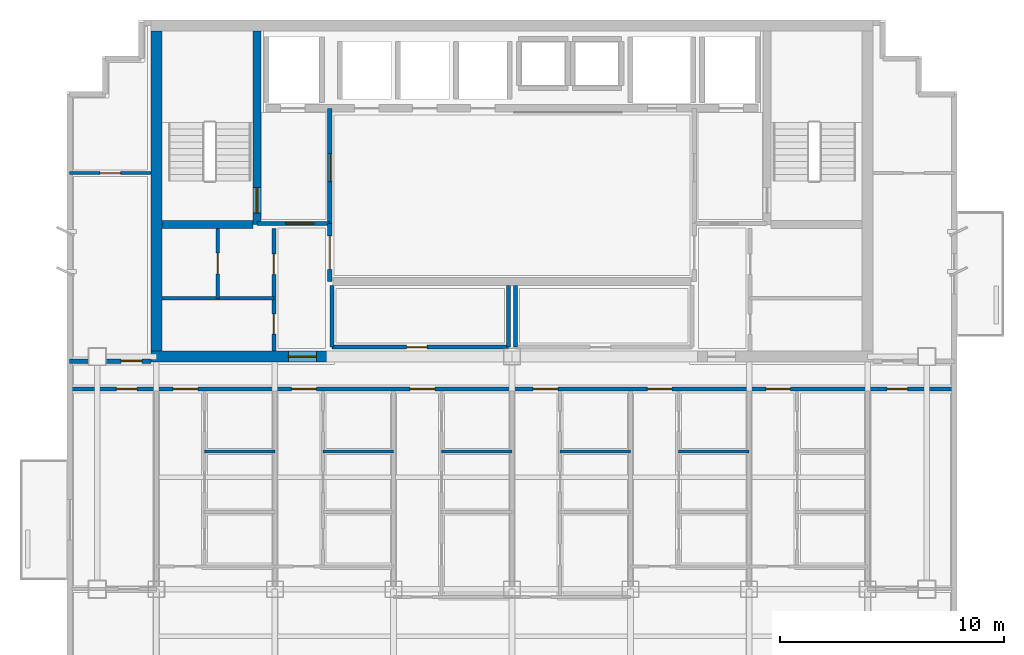
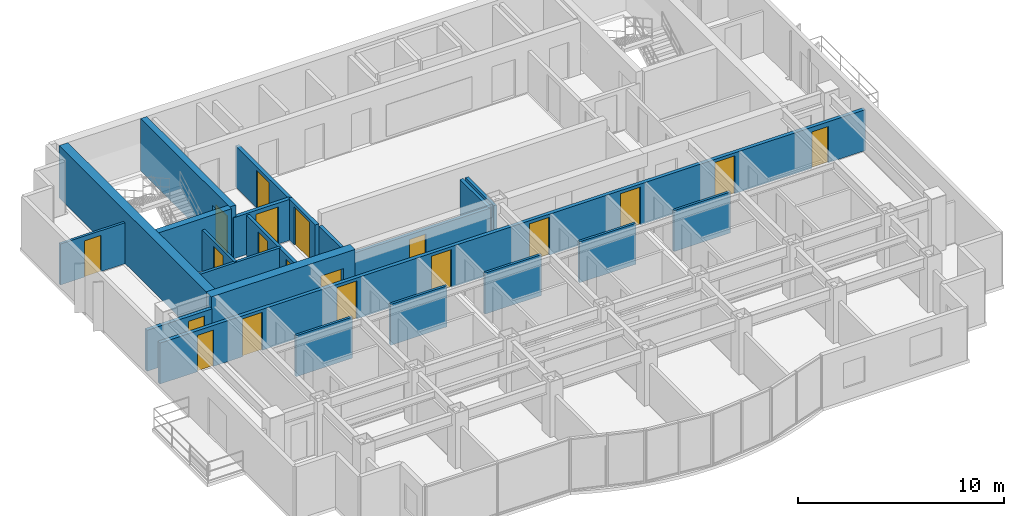
# One storey, part 5 of 9: 22 walls, 19 doors, 19 openings.
"""IFC4 building model written with IfcOpenShell, lengths in metres."""

from ifc_helpers import new_model, si_unit, direction, frame, frame_2d, origin, place, context, subcontext, project, spatial, rectangle, extrude, material, layer, layer_set, type_object, element, fill, save


model = new_model("IFC4")

# Units and contexts
model_context = context("Model", 3, precision=1e-05, world=origin(), true_north=direction((0.0, 1.0)))
body_context = subcontext(model_context, "Body", "Model", "MODEL_VIEW")
ifc_project = project(units=[si_unit("LENGTHUNIT", "METRE"), si_unit("AREAUNIT", "SQUARE_METRE"), si_unit("VOLUMEUNIT", "CUBIC_METRE"), si_unit("PLANEANGLEUNIT", "RADIAN"), si_unit("MASSUNIT", "GRAM", prefix="KILO")], contexts=[model_context])

# Site, building, storey
site_placement = place(None, origin())
site = spatial("IfcSite", under=ifc_project, at=site_placement, CompositionType="ELEMENT")
building_placement = place(site_placement, origin())
building = spatial("IfcBuilding", under=site, at=building_placement, Name="Qianlan Lanfeng Residences", CompositionType="ELEMENT")
storey_placement = place(building_placement, frame((0.0, 0.0, 229.699951171875)))
storey = spatial("IfcBuildingStorey", under=building, at=storey_placement, Name="L63", CompositionType="ELEMENT", Elevation=229.699951171875)

# Wall, opening, door
ifc_material_1 = material(Name="Concrete C49", Category="concrete")
ifc_layer_1 = layer(ifc_material_1, 0.35009765625)
ifc_layer_set_1 = layer_set([ifc_layer_1], Name="Concrete C49")
wall_type_1 = type_object("IfcWallType", Name="CW-RC-350", PredefinedType="SHEAR", material=ifc_layer_set_1)
wall_1_placement = place(storey_placement, frame((15.10009765625, 31.10009765625, 0.0), z_axis=(0.0, 0.0, 1.0), x_axis=(0.0, 1.0, 0.0)))
wall_1 = element("IfcWall", 1, at=wall_1_placement, inside=storey, type_object=wall_type_1, Name="L63 Core Shear Wall ST1E", PredefinedType="SHEAR", context=body_context, shape_type="SweptSolid", body=[
    extrude(rectangle(XDim=8.64990234375, YDim=0.35009765625, at=frame_2d((4.324951171875, 0.0))), origin(), (0.0, 0.0, 1.0), 3.110107421875),
])
opening_1_placement = place(wall_1_placement, frame((0.510009765625, 0.0, 0.0)))
opening_1 = element("IfcOpeningElement", 2, at=opening_1_placement, cuts=wall_1, Name="Opening L63-D07", PredefinedType="OPENING", context=body_context, shape_type="SweptSolid", body=[
    extrude(rectangle(XDim=1.14990234375, YDim=2.199951171875, at=frame_2d((0.574951171875, 1.10009765625))), frame((0.0, 0.18505859375, 0.0), z_axis=(0.0, -1.0, 0.0), x_axis=(1.0, 0.0, 0.0)), (0.0, 0.0, 1.0), 0.3701171875),
])
ifc_material_2 = material(Name="Painted Galvanised Steel Fire Door", Category="steel")
door_type_1 = type_object("IfcDoorType", Name="DT-ST1", OperationType="NOTDEFINED", PredefinedType="DOOR", material=ifc_material_2)
door_1_placement = place(opening_1_placement, frame((1.14990234375, 0.0, 0.0), z_axis=(0.0, 0.0, 1.0), x_axis=(-1.0, 0.0, 0.0)))
door_1 = element("IfcDoor", 3, at=door_1_placement, inside=storey, type_object=door_type_1, Name="L63 Exit Stair ST-1 Door L63-D07 (DT-ST1)", OperationType="SINGLE_SWING_RIGHT", OverallHeight=2.199951171875, OverallWidth=1.14990234375, PredefinedType="DOOR", context=body_context, shape_type="SweptSolid", body=[
    extrude(rectangle(XDim=1.14990234375, YDim=2.199951171875, at=frame_2d((0.574951171875, 1.10009765625))), frame((0.0, 0.02490234375, 0.0), z_axis=(0.0, -1.0, 0.0), x_axis=(1.0, 0.0, 0.0)), (0.0, 0.0, 1.0), 0.050048828125),
])
fill(opening_1, door_1)

# Walls
wall_2_placement = place(storey_placement, frame((10.85009765625, 31.10009765625, 0.0), z_axis=(0.0, 0.0, 1.0), x_axis=(1.0, 0.0, 0.0)))
element("IfcWall", 4, at=wall_2_placement, inside=storey, type_object=wall_type_1, Name="L63 Core Shear Wall ST1S", PredefinedType="SHEAR", context=body_context, shape_type="SweptSolid", body=[
    extrude(rectangle(XDim=4.074951171875, YDim=0.35009765625, at=frame_2d((2.03759765625, 0.0))), origin(), (0.0, 0.0, 1.0), 3.110107421875),
])
ifc_material_3 = material(Name="Concrete C70", Category="concrete")
ifc_layer_2 = layer(ifc_material_3, 0.5)
ifc_layer_set_2 = layer_set([ifc_layer_2], Name="Concrete C70")
wall_type_2 = type_object("IfcWallType", Name="CW-RC-500", PredefinedType="SHEAR", material=ifc_layer_set_2)
wall_3_placement = place(storey_placement, frame((10.60009765625, 25.449951171875, 0.0), z_axis=(0.0, 0.0, 1.0), x_axis=(0.0, 1.0, 0.0)))
element("IfcWall", 5, at=wall_3_placement, inside=storey, type_object=wall_type_2, Name="L63 Core Shear Wall W", PredefinedType="SHEAR", context=body_context, shape_type="SweptSolid", body=[
    extrude(rectangle(XDim=14.300048828125, YDim=0.5, at=frame_2d((7.14990234375, 0.0))), origin(), (0.0, 0.0, 1.0), 3.110107421875),
])

# Wall, opening, door
wall_4_placement = place(storey_placement, frame((10.35009765625, 25.199951171875, 0.0), z_axis=(0.0, 0.0, 1.0), x_axis=(1.0, 0.0, 0.0)))
wall_4 = element("IfcWall", 6, at=wall_4_placement, inside=storey, type_object=wall_type_2, Name="L63 Core Shear Wall SW", PredefinedType="SHEAR", context=body_context, shape_type="SweptSolid", body=[
    extrude(rectangle(XDim=8.0498046875, YDim=0.5, at=frame_2d((4.02490234375, 0.0))), origin(), (0.0, 0.0, 1.0), 3.110107421875),
])
opening_2_placement = place(wall_4_placement, frame((6.14990234375, 0.0, 0.0)))
opening_2 = element("IfcOpeningElement", 7, at=opening_2_placement, cuts=wall_4, Name="Opening L63-D01", PredefinedType="OPENING", context=body_context, shape_type="SweptSolid", body=[
    extrude(rectangle(XDim=1.25, YDim=2.199951171875, at=frame_2d((0.625, 1.10009765625))), frame((0.0, 0.260009765625, 0.0), z_axis=(0.0, -1.0, 0.0), x_axis=(1.0, 0.0, 0.0)), (0.0, 0.0, 1.0), 0.52001953125),
])
door_type_2 = type_object("IfcDoorType", Name="DT-FFL", OperationType="NOTDEFINED", PredefinedType="DOOR", material=ifc_material_2)
door_2_placement = place(opening_2_placement, origin())
door_2 = element("IfcDoor", 8, at=door_2_placement, inside=storey, type_object=door_type_2, Name="L63 West Core Lobby Smoke Door L63-D01 (DT-FFL)", OperationType="SINGLE_SWING_RIGHT", OverallHeight=2.199951171875, OverallWidth=1.25, PredefinedType="DOOR", context=body_context, shape_type="SweptSolid", body=[
    extrude(rectangle(XDim=1.25, YDim=2.199951171875, at=frame_2d((0.625, 1.10009765625))), frame((0.0, 0.02490234375, 0.0), z_axis=(0.0, -1.0, 0.0), x_axis=(1.0, 0.0, 0.0)), (0.0, 0.0, 1.0), 0.050048828125),
])
fill(opening_2, door_2)

# Walls
ifc_material_4 = material(Name="Moisture-Resistant Gypsum Partition 135 mm")
ifc_layer_3 = layer(ifc_material_4, 0.135009765625)
ifc_layer_set_3 = layer_set([ifc_layer_3], Name="Moisture-Resistant Gypsum Partition 135 mm")
wall_type_3 = type_object("IfcWallType", Name="PW-135", PredefinedType="PARTITIONING", material=ifc_layer_set_3)
for number, where, z_axis, x_axis, name in (
    (9, (12.75, 20.949951171875, 0.0), (0.0, 0.0, 1.0), (1.0, 0.0, 0.0), "L63 U01 Bathroom South Wall"),
    (10, (18.050048828125, 20.949951171875, 0.0), (0.0, 0.0, 1.0), (1.0, 0.0, 0.0), "L63 U02 Bathroom South Wall"),
    (11, (23.35009765625, 20.949951171875, 0.0), (0.0, 0.0, 1.0), (1.0, 0.0, 0.0), "L63 U03 Bathroom South Wall"),
):
    element("IfcWall", number, at=place(storey_placement, frame(where, z_axis=z_axis, x_axis=x_axis)), inside=storey, type_object=wall_type_3, Name=name, PredefinedType="PARTITIONING", context=body_context, shape_type="SweptSolid", body=[
        extrude(rectangle(XDim=3.14990234375, YDim=0.135009765625, at=frame_2d((1.574951171875, 0.0))), origin(), (0.0, 0.0, 1.0), 2.429931640625),
    ])
for number, where, z_axis, x_axis, name in (
    (12, (28.64990234375, 20.949951171875, 0.0), (0.0, 0.0, 1.0), (1.0, 0.0, 0.0), "L63 U04 Bathroom South Wall"),
    (13, (33.949951171875, 20.949951171875, 0.0), (0.0, 0.0, 1.0), (1.0, 0.0, 0.0), "L63 U05 Bathroom South Wall"),
):
    element("IfcWall", number, at=place(storey_placement, frame(where, z_axis=z_axis, x_axis=x_axis)), inside=storey, type_object=wall_type_3, Name=name, PredefinedType="PARTITIONING", context=body_context, shape_type="SweptSolid", body=[
        extrude(rectangle(XDim=3.150146484375, YDim=0.135009765625, at=frame_2d((1.5751953125, 0.0))), origin(), (0.0, 0.0, 1.0), 2.429931640625),
    ])

# Wall, opening, door
wall_5_placement = place(storey_placement, frame((6.719970703125, 33.39990234375, 0.0), z_axis=(0.0, 0.0, 1.0), x_axis=(1.0, 0.0, 0.0)))
wall_5 = element("IfcWall", 14, at=wall_5_placement, inside=storey, type_object=wall_type_3, Name="L63 WW North Wing Wall", PredefinedType="PARTITIONING", context=body_context, shape_type="SweptSolid", body=[
    extrude(rectangle(XDim=3.630126953125, YDim=0.135009765625, at=frame_2d((1.81494140625, 0.0))), origin(), (0.0, 0.0, 1.0), 2.429931640625),
])
opening_3_placement = place(wall_5_placement, frame((1.35498046875, 0.0, 0.0)))
opening_3 = element("IfcOpeningElement", 15, at=opening_3_placement, cuts=wall_5, Name="Opening L63-D52", PredefinedType="OPENING", context=body_context, shape_type="SweptSolid", body=[
    extrude(rectangle(XDim=0.919921875, YDim=2.14990234375, at=frame_2d((0.4599609375, 1.074951171875))), frame((0.0, 0.07763671875, 0.0), z_axis=(0.0, -1.0, 0.0), x_axis=(1.0, 0.0, 0.0)), (0.0, 0.0, 1.0), 0.155029296875),
])
ifc_material_5 = material(Name="Glazed Timber Kitchen/Study Door", Category="wood")
door_type_3 = type_object("IfcDoorType", Name="DT-INT", OperationType="NOTDEFINED", PredefinedType="DOOR", material=ifc_material_5)
door_3_placement = place(opening_3_placement, origin())
door_3 = element("IfcDoor", 16, at=door_3_placement, inside=storey, type_object=door_type_3, Name="L63 WW Inner Salon Door L63-D52 (DT-INT)", OperationType="SINGLE_SWING_LEFT", OverallHeight=2.14990234375, OverallWidth=0.919921875, PredefinedType="DOOR", context=body_context, shape_type="SweptSolid", body=[
    extrude(rectangle(XDim=0.919921875, YDim=2.14990234375, at=frame_2d((0.4599609375, 1.074951171875))), frame((0.0, 0.02490234375, 0.0), z_axis=(0.0, -1.0, 0.0), x_axis=(1.0, 0.0, 0.0)), (0.0, 0.0, 1.0), 0.050048828125),
])
fill(opening_3, door_3)

# Wall
ifc_material_6 = material(Name="Acoustic Drywall Partition 150 mm")
ifc_layer_4 = layer(ifc_material_6, 0.14990234375)
ifc_layer_set_4 = layer_set([ifc_layer_4], Name="Acoustic Drywall Partition 150 mm")
wall_type_4 = type_object("IfcWallType", Name="PW-150", PredefinedType="PARTITIONING", material=ifc_layer_set_4)
wall_6_placement = place(storey_placement, frame((10.85009765625, 27.800048828125, 0.0), z_axis=(0.0, 0.0, 1.0), x_axis=(1.0, 0.0, 0.0)))
element("IfcWall", 17, at=wall_6_placement, inside=storey, type_object=wall_type_4, Name="L63 Core West H4", PredefinedType="PARTITIONING", context=body_context, shape_type="SweptSolid", body=[
    extrude(rectangle(XDim=5.0, YDim=0.14990234375, at=frame_2d((2.5, 0.0))), origin(), (0.0, 0.0, 1.0), 2.429931640625),
])

# Wall, opening, door
wall_7_placement = place(storey_placement, frame((13.35009765625, 27.800048828125, 0.0), z_axis=(0.0, 0.0, 1.0), x_axis=(0.0, 1.0, 0.0)))
wall_7 = element("IfcWall", 18, at=wall_7_placement, inside=storey, type_object=wall_type_4, Name="L63 Core West V4", PredefinedType="PARTITIONING", context=body_context, shape_type="SweptSolid", body=[
    extrude(rectangle(XDim=3.125, YDim=0.14990234375, at=frame_2d((1.5625, 0.0))), origin(), (0.0, 0.0, 1.0), 2.429931640625),
])
opening_4_placement = place(wall_7_placement, frame((1.10302734375, 0.0, 0.0)))
opening_4 = element("IfcOpeningElement", 19, at=opening_4_placement, cuts=wall_7, Name="Opening L63-D11", PredefinedType="OPENING", context=body_context, shape_type="SweptSolid", body=[
    extrude(rectangle(XDim=0.919921875, YDim=2.14990234375, at=frame_2d((0.4599609375, 1.074951171875))), frame((0.0, 0.0849609375, 0.0), z_axis=(0.0, -1.0, 0.0), x_axis=(1.0, 0.0, 0.0)), (0.0, 0.0, 1.0), 0.169921875),
])
door_4_placement = place(opening_4_placement, origin())
door_4 = element("IfcDoor", 20, at=door_4_placement, inside=storey, type_object=door_type_3, Name="L63 Linen Store Door L63-D11 (DT-INT)", OperationType="SINGLE_SWING_RIGHT", OverallHeight=2.14990234375, OverallWidth=0.919921875, PredefinedType="DOOR", context=body_context, shape_type="SweptSolid", body=[
    extrude(rectangle(XDim=0.919921875, YDim=2.14990234375, at=frame_2d((0.4599609375, 1.074951171875))), frame((0.0, 0.02490234375, 0.0), z_axis=(0.0, -1.0, 0.0), x_axis=(1.0, 0.0, 0.0)), (0.0, 0.0, 1.0), 0.050048828125),
])
fill(opening_4, door_4)

# Wall, openings, doors
ifc_material_7 = material(Name="Double-Layer Acoustic Gypsum Stud Wall 180 mm")
ifc_layer_5 = layer(ifc_material_7, 0.179931640625)
ifc_layer_set_5 = layer_set([ifc_layer_5], Name="Double-Layer Acoustic Gypsum Stud Wall 180 mm")
wall_type_5 = type_object("IfcWallType", Name="PW-180", PredefinedType="PARTITIONING", material=ifc_layer_set_5)
wall_8_placement = place(storey_placement, frame((15.85009765625, 25.449951171875, 0.0), z_axis=(0.0, 0.0, 1.0), x_axis=(0.0, 1.0, 0.0)))
wall_8 = element("IfcWall", 21, at=wall_8_placement, inside=storey, type_object=wall_type_5, Name="L63 Core West Service Room Wall", PredefinedType="PARTITIONING", context=body_context, shape_type="SweptSolid", body=[
    extrude(rectangle(XDim=5.47509765625, YDim=0.179931640625, at=frame_2d((2.737548828125, 0.0))), origin(), (0.0, 0.0, 1.0), 2.429931640625),
])
opening_5_placement = place(wall_8_placement, frame((0.75, 0.0, 0.0)))
opening_5 = element("IfcOpeningElement", 22, at=opening_5_placement, cuts=wall_8, Name="Opening L63-D09", PredefinedType="OPENING", context=body_context, shape_type="SweptSolid", body=[
    extrude(rectangle(XDim=0.89990234375, YDim=2.14990234375, at=frame_2d((0.449951171875, 1.074951171875))), frame((0.0, 0.10009765625, 0.0), z_axis=(0.0, -1.0, 0.0), x_axis=(1.0, 0.0, 0.0)), (0.0, 0.0, 1.0), 0.199951171875),
])
opening_6_placement = place(wall_8_placement, frame((3.427001953125, 0.0, 0.0)))
opening_6 = element("IfcOpeningElement", 23, at=opening_6_placement, cuts=wall_8, Name="Opening L63-D10", PredefinedType="OPENING", context=body_context, shape_type="SweptSolid", body=[
    extrude(rectangle(XDim=0.919921875, YDim=2.14990234375, at=frame_2d((0.4599609375, 1.074951171875))), frame((0.0, 0.10009765625, 0.0), z_axis=(0.0, -1.0, 0.0), x_axis=(1.0, 0.0, 0.0)), (0.0, 0.0, 1.0), 0.199951171875),
])
door_5_placement = place(opening_6_placement, origin())
door_5 = element("IfcDoor", 24, at=door_5_placement, inside=storey, type_object=door_type_3, Name="L63 Janitor Hall Door L63-D10 (DT-INT)", OperationType="SINGLE_SWING_LEFT", OverallHeight=2.14990234375, OverallWidth=0.919921875, PredefinedType="DOOR", context=body_context, shape_type="SweptSolid", body=[
    extrude(rectangle(XDim=0.919921875, YDim=2.14990234375, at=frame_2d((0.4599609375, 1.074951171875))), frame((0.0, 0.02490234375, 0.0), z_axis=(0.0, -1.0, 0.0), x_axis=(1.0, 0.0, 0.0)), (0.0, 0.0, 1.0), 0.050048828125),
])
fill(opening_6, door_5)
ifc_material_8 = material(Name="Moisture-Resistant Timber Leaf", Category="wood")
door_type_4 = type_object("IfcDoorType", Name="DT-WC", OperationType="NOTDEFINED", PredefinedType="DOOR", material=ifc_material_8)
door_6_placement = place(opening_5_placement, origin())
door_6 = element("IfcDoor", 25, at=door_6_placement, inside=storey, type_object=door_type_4, Name="L63 Staff WC Door L63-D09 (DT-WC)", OperationType="SINGLE_SWING_LEFT", OverallHeight=2.14990234375, OverallWidth=0.89990234375, PredefinedType="DOOR", context=body_context, shape_type="SweptSolid", body=[
    extrude(rectangle(XDim=0.89990234375, YDim=2.14990234375, at=frame_2d((0.449951171875, 1.074951171875))), frame((0.0, 0.02490234375, 0.0), z_axis=(0.0, -1.0, 0.0), x_axis=(1.0, 0.0, 0.0)), (0.0, 0.0, 1.0), 0.050048828125),
])
fill(opening_5, door_6)

# Walls
for number, where, z_axis, x_axis, name in (
    (26, (18.449951171875, 25.6201171875, 0.0), (0.0, 0.0, 1.0), (0.0, 1.0, 0.0), "L63 Reclaimed Low-Bank Room West Wall"),
    (27, (26.35009765625, 25.6201171875, 0.0), (0.0, 0.0, 1.0), (0.0, 1.0, 0.0), "L63 Reclaimed Low-Bank Room East Wall"),
):
    element("IfcWall", number, at=place(storey_placement, frame(where, z_axis=z_axis, x_axis=x_axis)), inside=storey, type_object=wall_type_5, Name=name, PredefinedType="PARTITIONING", context=body_context, shape_type="SweptSolid", body=[
        extrude(rectangle(XDim=2.7548828125, YDim=0.179931640625, at=frame_2d((1.37744140625, 0.0))), origin(), (0.0, 0.0, 1.0), 2.429931640625),
    ])

# Wall, opening, door
wall_9_placement = place(storey_placement, frame((18.449951171875, 25.6201171875, 0.0), z_axis=(0.0, 0.0, 1.0), x_axis=(1.0, 0.0, 0.0)))
wall_9 = element("IfcWall", 28, at=wall_9_placement, inside=storey, type_object=wall_type_5, Name="L63 Reclaimed Low-Bank Room South Wall", PredefinedType="PARTITIONING", context=body_context, shape_type="SweptSolid", body=[
    extrude(rectangle(XDim=7.900146484375, YDim=0.179931640625, at=frame_2d((3.9501953125, 0.0))), origin(), (0.0, 0.0, 1.0), 2.429931640625),
])
opening_7_placement = place(wall_9_placement, frame((3.340087890625, 0.0, 0.0)))
opening_7 = element("IfcOpeningElement", 29, at=opening_7_placement, cuts=wall_9, Name="Opening L63-D16", PredefinedType="OPENING", context=body_context, shape_type="SweptSolid", body=[
    extrude(rectangle(XDim=0.919921875, YDim=2.14990234375, at=frame_2d((0.4599609375, 1.074951171875))), frame((0.0, 0.10009765625, 0.0), z_axis=(0.0, -1.0, 0.0), x_axis=(1.0, 0.0, 0.0)), (0.0, 0.0, 1.0), 0.199951171875),
])
door_7_placement = place(opening_7_placement, origin())
door_7 = element("IfcDoor", 30, at=door_7_placement, inside=storey, type_object=door_type_3, Name="L63 Reclaimed Core Salon Door L63-D16 (DT-INT)", OperationType="SINGLE_SWING_LEFT", OverallHeight=2.14990234375, OverallWidth=0.919921875, PredefinedType="DOOR", context=body_context, shape_type="SweptSolid", body=[
    extrude(rectangle(XDim=0.919921875, YDim=2.14990234375, at=frame_2d((0.4599609375, 1.074951171875))), frame((0.0, 0.02490234375, 0.0), z_axis=(0.0, -1.0, 0.0), x_axis=(1.0, 0.0, 0.0)), (0.0, 0.0, 1.0), 0.050048828125),
])
fill(opening_7, door_7)

# Wall
wall_10_placement = place(storey_placement, frame((26.64990234375, 25.6201171875, 0.0), z_axis=(0.0, 0.0, 1.0), x_axis=(0.0, 1.0, 0.0)))
element("IfcWall", 31, at=wall_10_placement, inside=storey, type_object=wall_type_5, Name="L63 Reclaimed Mid-Bank Room West Wall", PredefinedType="PARTITIONING", context=body_context, shape_type="SweptSolid", body=[
    extrude(rectangle(XDim=2.7548828125, YDim=0.179931640625, at=frame_2d((1.37744140625, 0.0))), origin(), (0.0, 0.0, 1.0), 2.429931640625),
])

# Wall, opening, door
ifc_material_9 = material(Name="Autoclaved Aerated Concrete Blockwork 200 mm", Category="masonry")
ifc_layer_6 = layer(ifc_material_9, 0.199951171875)
ifc_layer_set_6 = layer_set([ifc_layer_6], Name="Autoclaved Aerated Concrete Blockwork 200 mm")
wall_type_6 = type_object("IfcWallType", Name="PW-200", PredefinedType="PARTITIONING", material=ifc_layer_set_6)
wall_11_placement = place(storey_placement, frame((15.10009765625, 31.14990234375, 0.0), z_axis=(0.0, 0.0, 1.0), x_axis=(1.0, 0.0, 0.0)))
wall_11 = element("IfcWall", 32, at=wall_11_placement, inside=storey, type_object=wall_type_6, Name="L63 Firefighting Lobby 1 South Wall", PredefinedType="PARTITIONING", context=body_context, shape_type="SweptSolid", body=[
    extrude(rectangle(XDim=3.25, YDim=0.199951171875, at=frame_2d((1.625, 0.0))), origin(), (0.0, 0.0, 1.0), 2.429931640625),
])
opening_8_placement = place(wall_11_placement, frame((1.27490234375, 0.0, 0.0)))
opening_8 = element("IfcOpeningElement", 33, at=opening_8_placement, cuts=wall_11, Name="Opening L63-D03", PredefinedType="OPENING", context=body_context, shape_type="SweptSolid", body=[
    extrude(rectangle(XDim=1.25, YDim=2.199951171875, at=frame_2d((0.625, 1.10009765625))), frame((0.0, 0.10986328125, 0.0), z_axis=(0.0, -1.0, 0.0), x_axis=(1.0, 0.0, 0.0)), (0.0, 0.0, 1.0), 0.219970703125),
])
door_8_placement = place(opening_8_placement, origin())
door_8 = element("IfcDoor", 34, at=door_8_placement, inside=storey, type_object=door_type_2, Name="L63 Firefighting Lobby 1 Entry Door L63-D03 (DT-FFL)", OperationType="SINGLE_SWING_LEFT", OverallHeight=2.199951171875, OverallWidth=1.25, PredefinedType="DOOR", context=body_context, shape_type="SweptSolid", body=[
    extrude(rectangle(XDim=1.25, YDim=2.199951171875, at=frame_2d((0.625, 1.10009765625))), frame((0.0, 0.02490234375, 0.0), z_axis=(0.0, -1.0, 0.0), x_axis=(1.0, 0.0, 0.0)), (0.0, 0.0, 1.0), 0.050048828125),
])
fill(opening_8, door_8)

wall_12_placement = place(storey_placement, frame((18.35009765625, 31.14990234375, 0.0), z_axis=(0.0, 0.0, 1.0), x_axis=(0.0, 1.0, 0.0)))
wall_12 = element("IfcWall", 35, at=wall_12_placement, inside=storey, type_object=wall_type_6, Name="L63 Firefighting Lobby 1 East Wall", PredefinedType="PARTITIONING", context=body_context, shape_type="SweptSolid", body=[
    extrude(rectangle(XDim=5.150146484375, YDim=0.199951171875, at=frame_2d((2.5751953125, 0.0))), origin(), (0.0, 0.0, 1.0), 2.429931640625),
])
opening_9_placement = place(wall_12_placement, frame((1.875, 0.0, 0.0)))
opening_9 = element("IfcOpeningElement", 36, at=opening_9_placement, cuts=wall_12, Name="Opening L63-D04", PredefinedType="OPENING", context=body_context, shape_type="SweptSolid", body=[
    extrude(rectangle(XDim=1.25, YDim=2.199951171875, at=frame_2d((0.625, 1.10009765625))), frame((0.0, 0.10986328125, 0.0), z_axis=(0.0, -1.0, 0.0), x_axis=(1.0, 0.0, 0.0)), (0.0, 0.0, 1.0), 0.219970703125),
])
door_9_placement = place(opening_9_placement, origin())
door_9 = element("IfcDoor", 37, at=door_9_placement, inside=storey, type_object=door_type_2, Name="L63 Firefighting Lobby 1 Lift Lobby Door L63-D04 (DT-FFL)", OperationType="SINGLE_SWING_LEFT", OverallHeight=2.199951171875, OverallWidth=1.25, PredefinedType="DOOR", context=body_context, shape_type="SweptSolid", body=[
    extrude(rectangle(XDim=1.25, YDim=2.199951171875, at=frame_2d((0.625, 1.10009765625))), frame((0.0, 0.02490234375, 0.0), z_axis=(0.0, -1.0, 0.0), x_axis=(1.0, 0.0, 0.0)), (0.0, 0.0, 1.0), 0.050048828125),
])
fill(opening_9, door_9)

wall_13_placement = place(storey_placement, frame((18.35009765625, 28.550048828125, 0.0), z_axis=(0.0, 0.0, 1.0), x_axis=(0.0, 1.0, 0.0)))
wall_13 = element("IfcWall", 38, at=wall_13_placement, inside=storey, type_object=wall_type_6, Name="L63 Lift Lobby West Connector Wall", PredefinedType="PARTITIONING", context=body_context, shape_type="SweptSolid", body=[
    extrude(rectangle(XDim=2.599853515625, YDim=0.199951171875, at=frame_2d((1.2998046875, 0.0))), origin(), (0.0, 0.0, 1.0), 2.429931640625),
])
opening_10_placement = place(wall_13_placement, frame((0.550048828125, 0.0, 0.0)))
opening_10 = element("IfcOpeningElement", 39, at=opening_10_placement, cuts=wall_13, Name="Opening L63-D14", PredefinedType="OPENING", context=body_context, shape_type="SweptSolid", body=[
    extrude(rectangle(XDim=1.5, YDim=2.25, at=frame_2d((0.75, 1.125))), frame((0.0, 0.10986328125, 0.0), z_axis=(0.0, -1.0, 0.0), x_axis=(1.0, 0.0, 0.0)), (0.0, 0.0, 1.0), 0.219970703125),
])
ifc_material_10 = material(Name="Timber Veneer Acoustic Fire Door", Category="wood")
door_type_5 = type_object("IfcDoorType", Name="DT-COR1", OperationType="NOTDEFINED", PredefinedType="DOOR", material=ifc_material_10)
door_10_placement = place(opening_10_placement, origin())
door_10 = element("IfcDoor", 40, at=door_10_placement, inside=storey, type_object=door_type_5, Name="L63 Lift Lobby West Portal Door L63-D14 (DT-COR1)", OperationType="DOUBLE_DOOR_SINGLE_SWING", OverallHeight=2.25, OverallWidth=1.5, PredefinedType="DOOR", context=body_context, shape_type="SweptSolid", body=[
    extrude(rectangle(XDim=1.5, YDim=2.25, at=frame_2d((0.75, 1.125))), frame((0.0, 0.02490234375, 0.0), z_axis=(0.0, -1.0, 0.0), x_axis=(1.0, 0.0, 0.0)), (0.0, 0.0, 1.0), 0.050048828125),
])
fill(opening_10, door_10)

# Wall, openings, doors
wall_14_placement = place(storey_placement, frame((6.719970703125, 23.75, 0.0), z_axis=(0.0, 0.0, 1.0), x_axis=(1.0, 0.0, 0.0)))
wall_14 = element("IfcWall", 41, at=wall_14_placement, inside=storey, type_object=wall_type_6, Name="L63 Residential Corridor South Fire Wall", PredefinedType="PARTITIONING", context=body_context, shape_type="SweptSolid", body=[
    extrude(rectangle(XDim=39.56005859375, YDim=0.199951171875, at=frame_2d((19.780029296875, 0.0))), origin(), (0.0, 0.0, 1.0), 2.429931640625),
])
opening_11_placement = place(wall_14_placement, frame((4.6298828125, 0.0, 0.0)))
opening_11 = element("IfcOpeningElement", 42, at=opening_11_placement, cuts=wall_14, Name="Opening L63-D18", PredefinedType="OPENING", context=body_context, shape_type="SweptSolid", body=[
    extrude(rectangle(XDim=1.10009765625, YDim=2.25, at=frame_2d((0.550048828125, 1.125))), frame((0.0, 0.10986328125, 0.0), z_axis=(0.0, -1.0, 0.0), x_axis=(1.0, 0.0, 0.0)), (0.0, 0.0, 1.0), 0.219970703125),
])
opening_12_placement = place(wall_14_placement, frame((9.929931640625, 0.0, 0.0)))
opening_12 = element("IfcOpeningElement", 43, at=opening_12_placement, cuts=wall_14, Name="Opening L63-D23", PredefinedType="OPENING", context=body_context, shape_type="SweptSolid", body=[
    extrude(rectangle(XDim=1.10009765625, YDim=2.25, at=frame_2d((0.550048828125, 1.125))), frame((0.0, 0.10986328125, 0.0), z_axis=(0.0, -1.0, 0.0), x_axis=(1.0, 0.0, 0.0)), (0.0, 0.0, 1.0), 0.219970703125),
])
opening_13_placement = place(wall_14_placement, frame((15.22998046875, 0.0, 0.0)))
opening_13 = element("IfcOpeningElement", 44, at=opening_13_placement, cuts=wall_14, Name="Opening L63-D28", PredefinedType="OPENING", context=body_context, shape_type="SweptSolid", body=[
    extrude(rectangle(XDim=1.10009765625, YDim=2.25, at=frame_2d((0.550048828125, 1.125))), frame((0.0, 0.10986328125, 0.0), z_axis=(0.0, -1.0, 0.0), x_axis=(1.0, 0.0, 0.0)), (0.0, 0.0, 1.0), 0.219970703125),
])
opening_14_placement = place(wall_14_placement, frame((20.72998046875, 0.0, 0.0)))
opening_14 = element("IfcOpeningElement", 45, at=opening_14_placement, cuts=wall_14, Name="Opening L63-D33", PredefinedType="OPENING", context=body_context, shape_type="SweptSolid", body=[
    extrude(rectangle(XDim=1.10009765625, YDim=2.25, at=frame_2d((0.550048828125, 1.125))), frame((0.0, 0.10986328125, 0.0), z_axis=(0.0, -1.0, 0.0), x_axis=(1.0, 0.0, 0.0)), (0.0, 0.0, 1.0), 0.219970703125),
])
opening_15_placement = place(wall_14_placement, frame((25.830078125, 0.0, 0.0)))
opening_15 = element("IfcOpeningElement", 46, at=opening_15_placement, cuts=wall_14, Name="Opening L63-D38", PredefinedType="OPENING", context=body_context, shape_type="SweptSolid", body=[
    extrude(rectangle(XDim=1.10009765625, YDim=2.25, at=frame_2d((0.550048828125, 1.125))), frame((0.0, 0.10986328125, 0.0), z_axis=(0.0, -1.0, 0.0), x_axis=(1.0, 0.0, 0.0)), (0.0, 0.0, 1.0), 0.219970703125),
])
opening_16_placement = place(wall_14_placement, frame((31.1298828125, 0.0, 0.0)))
opening_16 = element("IfcOpeningElement", 47, at=opening_16_placement, cuts=wall_14, Name="Opening L63-D43", PredefinedType="OPENING", context=body_context, shape_type="SweptSolid", body=[
    extrude(rectangle(XDim=1.10009765625, YDim=2.25, at=frame_2d((0.550048828125, 1.125))), frame((0.0, 0.10986328125, 0.0), z_axis=(0.0, -1.0, 0.0), x_axis=(1.0, 0.0, 0.0)), (0.0, 0.0, 1.0), 0.219970703125),
])
opening_17_placement = place(wall_14_placement, frame((2.0849609375, 0.0, 0.0)))
opening_17 = element("IfcOpeningElement", 48, at=opening_17_placement, cuts=wall_14, Name="Opening L63-D49", PredefinedType="OPENING", context=body_context, shape_type="SweptSolid", body=[
    extrude(rectangle(XDim=0.919921875, YDim=2.14990234375, at=frame_2d((0.4599609375, 1.074951171875))), frame((0.0, 0.10986328125, 0.0), z_axis=(0.0, -1.0, 0.0), x_axis=(1.0, 0.0, 0.0)), (0.0, 0.0, 1.0), 0.219970703125),
])
opening_18_placement = place(wall_14_placement, frame((36.554931640625, 0.0, 0.0)))
opening_18 = element("IfcOpeningElement", 49, at=opening_18_placement, cuts=wall_14, Name="Opening L63-D51", PredefinedType="OPENING", context=body_context, shape_type="SweptSolid", body=[
    extrude(rectangle(XDim=0.919921875, YDim=2.14990234375, at=frame_2d((0.4599609375, 1.074951171875))), frame((0.0, 0.10986328125, 0.0), z_axis=(0.0, -1.0, 0.0), x_axis=(1.0, 0.0, 0.0)), (0.0, 0.0, 1.0), 0.219970703125),
])
door_11_placement = place(opening_17_placement, frame((0.919921875, 0.0, 0.0), z_axis=(0.0, 0.0, 1.0), x_axis=(-1.0, 0.0, 0.0)))
door_11 = element("IfcDoor", 50, at=door_11_placement, inside=storey, type_object=door_type_3, Name="L63 SWP Corridor Door L63-D49 (DT-INT)", OperationType="SINGLE_SWING_LEFT", OverallHeight=2.14990234375, OverallWidth=0.919921875, PredefinedType="DOOR", context=body_context, shape_type="SweptSolid", body=[
    extrude(rectangle(XDim=0.919921875, YDim=2.14990234375, at=frame_2d((0.4599609375, 1.074951171875))), frame((0.0, 0.02490234375, 0.0), z_axis=(0.0, -1.0, 0.0), x_axis=(1.0, 0.0, 0.0)), (0.0, 0.0, 1.0), 0.050048828125),
])
fill(opening_17, door_11)
door_12_placement = place(opening_18_placement, frame((0.919921875, 0.0, 0.0), z_axis=(0.0, 0.0, 1.0), x_axis=(-1.0, 0.0, 0.0)))
door_12 = element("IfcDoor", 51, at=door_12_placement, inside=storey, type_object=door_type_3, Name="L63 SEP Corridor Door L63-D51 (DT-INT)", OperationType="SINGLE_SWING_RIGHT", OverallHeight=2.14990234375, OverallWidth=0.919921875, PredefinedType="DOOR", context=body_context, shape_type="SweptSolid", body=[
    extrude(rectangle(XDim=0.919921875, YDim=2.14990234375, at=frame_2d((0.4599609375, 1.074951171875))), frame((0.0, 0.02490234375, 0.0), z_axis=(0.0, -1.0, 0.0), x_axis=(1.0, 0.0, 0.0)), (0.0, 0.0, 1.0), 0.050048828125),
])
fill(opening_18, door_12)
ifc_material_11 = material(Name="Solid-Core Oak Veneer Fire Door")
door_type_6 = type_object("IfcDoorType", Name="DT-UNIT", OperationType="NOTDEFINED", PredefinedType="DOOR", material=ifc_material_11)
door_13_placement = place(opening_11_placement, frame((1.10009765625, 0.0, 0.0), z_axis=(0.0, 0.0, 1.0), x_axis=(-1.0, 0.0, 0.0)))
door_13 = element("IfcDoor", 52, at=door_13_placement, inside=storey, type_object=door_type_6, Name="L63 Apartment U01 Entrance Door L63-D18 (DT-UNIT)", OperationType="SINGLE_SWING_RIGHT", OverallHeight=2.25, OverallWidth=1.10009765625, PredefinedType="DOOR", context=body_context, shape_type="SweptSolid", body=[
    extrude(rectangle(XDim=1.10009765625, YDim=2.25, at=frame_2d((0.550048828125, 1.125))), frame((0.0, 0.02490234375, 0.0), z_axis=(0.0, -1.0, 0.0), x_axis=(1.0, 0.0, 0.0)), (0.0, 0.0, 1.0), 0.050048828125),
])
fill(opening_11, door_13)
door_14_placement = place(opening_12_placement, frame((1.10009765625, 0.0, 0.0), z_axis=(0.0, 0.0, 1.0), x_axis=(-1.0, 0.0, 0.0)))
door_14 = element("IfcDoor", 53, at=door_14_placement, inside=storey, type_object=door_type_6, Name="L63 Apartment U02 Entrance Door L63-D23 (DT-UNIT)", OperationType="SINGLE_SWING_RIGHT", OverallHeight=2.25, OverallWidth=1.10009765625, PredefinedType="DOOR", context=body_context, shape_type="SweptSolid", body=[
    extrude(rectangle(XDim=1.10009765625, YDim=2.25, at=frame_2d((0.550048828125, 1.125))), frame((0.0, 0.02490234375, 0.0), z_axis=(0.0, -1.0, 0.0), x_axis=(1.0, 0.0, 0.0)), (0.0, 0.0, 1.0), 0.050048828125),
])
fill(opening_12, door_14)
door_15_placement = place(opening_13_placement, frame((1.10009765625, 0.0, 0.0), z_axis=(0.0, 0.0, 1.0), x_axis=(-1.0, 0.0, 0.0)))
door_15 = element("IfcDoor", 54, at=door_15_placement, inside=storey, type_object=door_type_6, Name="L63 Apartment U03 Entrance Door L63-D28 (DT-UNIT)", OperationType="SINGLE_SWING_RIGHT", OverallHeight=2.25, OverallWidth=1.10009765625, PredefinedType="DOOR", context=body_context, shape_type="SweptSolid", body=[
    extrude(rectangle(XDim=1.10009765625, YDim=2.25, at=frame_2d((0.550048828125, 1.125))), frame((0.0, 0.02490234375, 0.0), z_axis=(0.0, -1.0, 0.0), x_axis=(1.0, 0.0, 0.0)), (0.0, 0.0, 1.0), 0.050048828125),
])
fill(opening_13, door_15)
door_16_placement = place(opening_14_placement, origin())
door_16 = element("IfcDoor", 55, at=door_16_placement, inside=storey, type_object=door_type_6, Name="L63 Apartment U04 Entrance Door L63-D33 (DT-UNIT)", OperationType="SINGLE_SWING_RIGHT", OverallHeight=2.25, OverallWidth=1.10009765625, PredefinedType="DOOR", context=body_context, shape_type="SweptSolid", body=[
    extrude(rectangle(XDim=1.10009765625, YDim=2.25, at=frame_2d((0.550048828125, 1.125))), frame((0.0, 0.02490234375, 0.0), z_axis=(0.0, -1.0, 0.0), x_axis=(1.0, 0.0, 0.0)), (0.0, 0.0, 1.0), 0.050048828125),
])
fill(opening_14, door_16)
door_17_placement = place(opening_15_placement, frame((1.10009765625, 0.0, 0.0), z_axis=(0.0, 0.0, 1.0), x_axis=(-1.0, 0.0, 0.0)))
door_17 = element("IfcDoor", 56, at=door_17_placement, inside=storey, type_object=door_type_6, Name="L63 Apartment U05 Entrance Door L63-D38 (DT-UNIT)", OperationType="SINGLE_SWING_RIGHT", OverallHeight=2.25, OverallWidth=1.10009765625, PredefinedType="DOOR", context=body_context, shape_type="SweptSolid", body=[
    extrude(rectangle(XDim=1.10009765625, YDim=2.25, at=frame_2d((0.550048828125, 1.125))), frame((0.0, 0.02490234375, 0.0), z_axis=(0.0, -1.0, 0.0), x_axis=(1.0, 0.0, 0.0)), (0.0, 0.0, 1.0), 0.050048828125),
])
fill(opening_15, door_17)
door_18_placement = place(opening_16_placement, frame((1.10009765625, 0.0, 0.0), z_axis=(0.0, 0.0, 1.0), x_axis=(-1.0, 0.0, 0.0)))
door_18 = element("IfcDoor", 57, at=door_18_placement, inside=storey, type_object=door_type_6, Name="L63 Apartment U06 Entrance Door L63-D43 (DT-UNIT)", OperationType="SINGLE_SWING_RIGHT", OverallHeight=2.25, OverallWidth=1.10009765625, PredefinedType="DOOR", context=body_context, shape_type="SweptSolid", body=[
    extrude(rectangle(XDim=1.10009765625, YDim=2.25, at=frame_2d((0.550048828125, 1.125))), frame((0.0, 0.02490234375, 0.0), z_axis=(0.0, -1.0, 0.0), x_axis=(1.0, 0.0, 0.0)), (0.0, 0.0, 1.0), 0.050048828125),
])
fill(opening_16, door_18)

# Wall, opening, door
wall_15_placement = place(storey_placement, frame((6.719970703125, 25.0, 0.0), z_axis=(0.0, 0.0, 1.0), x_axis=(1.0, 0.0, 0.0)))
wall_15 = element("IfcWall", 58, at=wall_15_placement, inside=storey, type_object=wall_type_6, Name="L63 Corridor NW Wall", PredefinedType="PARTITIONING", context=body_context, shape_type="SweptSolid", body=[
    extrude(rectangle(XDim=3.630126953125, YDim=0.199951171875, at=frame_2d((1.81494140625, 0.0))), origin(), (0.0, 0.0, 1.0), 2.429931640625),
])
opening_19_placement = place(wall_15_placement, frame((2.304931640625, 0.0, 0.0)))
opening_19 = element("IfcOpeningElement", 59, at=opening_19_placement, cuts=wall_15, Name="Opening L63-D53", PredefinedType="OPENING", context=body_context, shape_type="SweptSolid", body=[
    extrude(rectangle(XDim=0.919921875, YDim=2.14990234375, at=frame_2d((0.4599609375, 1.074951171875))), frame((0.0, 0.10986328125, 0.0), z_axis=(0.0, -1.0, 0.0), x_axis=(1.0, 0.0, 0.0)), (0.0, 0.0, 1.0), 0.219970703125),
])
door_19_placement = place(opening_19_placement, frame((0.919921875, 0.0, 0.0), z_axis=(0.0, 0.0, 1.0), x_axis=(-1.0, 0.0, 0.0)))
door_19 = element("IfcDoor", 60, at=door_19_placement, inside=storey, type_object=door_type_3, Name="L63 WW Amenity Salon Door L63-D53 (DT-INT)", OperationType="SINGLE_SWING_LEFT", OverallHeight=2.14990234375, OverallWidth=0.919921875, PredefinedType="DOOR", context=body_context, shape_type="SweptSolid", body=[
    extrude(rectangle(XDim=0.919921875, YDim=2.14990234375, at=frame_2d((0.4599609375, 1.074951171875))), frame((0.0, 0.02490234375, 0.0), z_axis=(0.0, -1.0, 0.0), x_axis=(1.0, 0.0, 0.0)), (0.0, 0.0, 1.0), 0.050048828125),
])
fill(opening_19, door_19)

save(model, "model.ifc")
